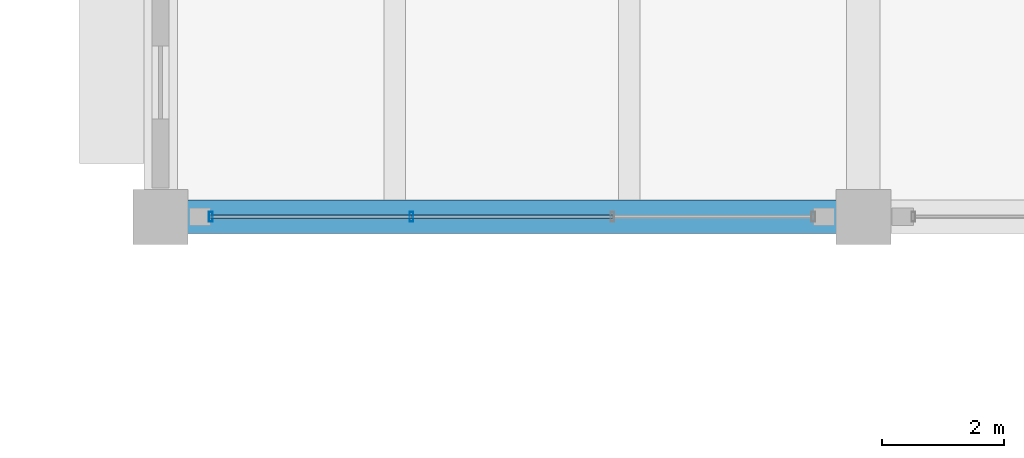
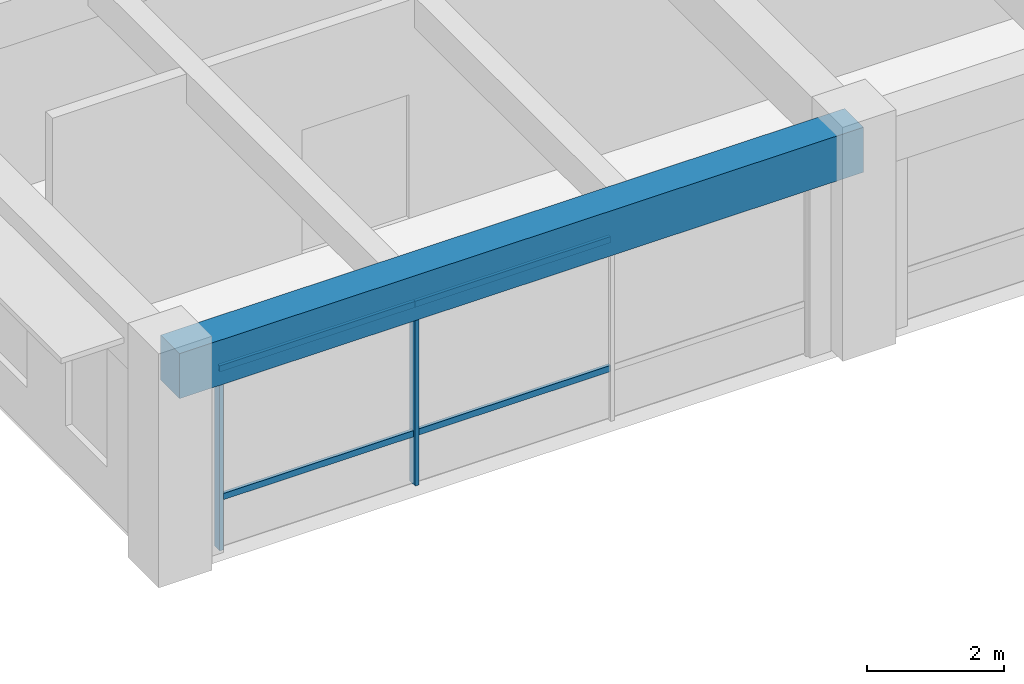
# One storey, part 2 of 33: 6 members, 1 beam, 1 element without a shape of its own.
"""IFC4 building model written with IfcOpenShell, lengths in metres."""

from ifc_helpers import new_model, si_unit, direction, frame, origin, origin_2d, place, context, subcontext, project, spatial, rectangle, hollow_rectangle, extrude, material, material_profile, profile_set, type_object, element, aggregate, save


model = new_model("IFC4")

# Units and contexts
model_context = context("Model", 3, precision=1e-05, world=origin(), true_north=direction((0.0, 1.0)))
body_context = subcontext(model_context, "Body", "Model", "MODEL_VIEW")
ifc_project = project(units=[si_unit("LENGTHUNIT", "METRE"), si_unit("AREAUNIT", "SQUARE_METRE"), si_unit("VOLUMEUNIT", "CUBIC_METRE"), si_unit("PLANEANGLEUNIT", "RADIAN"), si_unit("MASSUNIT", "GRAM", prefix="KILO")], contexts=[model_context])

# Site, building, storey
site_placement = place(None, origin())
site = spatial("IfcSite", under=ifc_project, at=site_placement, CompositionType="ELEMENT")
building_placement = place(site_placement, origin())
building = spatial("IfcBuilding", under=site, at=building_placement, Name="Ologun Quay Terminus", CompositionType="ELEMENT")
storey_placement = place(building_placement, frame((0.0, 0.0, 18.300048828125)))
storey = spatial("IfcBuildingStorey", under=building, at=storey_placement, Name="L04", CompositionType="ELEMENT", Elevation=18.300048828125)

# Curtain wall, members
ifc_material_1 = material(Name="Aluminium 6063-T6", Category="aluminium")
curtain_wall_type = type_object("IfcCurtainWallType", Name="Waterfront Pavilion Tea Salon Curtain Wall L04 10600x3800", PredefinedType="USERDEFINED", material=ifc_material_1)
curtain_wall_placement = place(storey_placement, origin())
curtain_wall = element("IfcCurtainWall", 1, at=curtain_wall_placement, inside=storey, type_object=curtain_wall_type, Name="CW-26 Curtain Wall CW-L04-115", ObjectType="UNITISED CURTAIN WALL", PredefinedType="USERDEFINED")
ifc_material_2 = material(Name="Aluminium 6063-T6", Category="aluminium")
ifc_material_profile_1 = material_profile(ifc_material_2, hollow_rectangle(XDim=0.06005859375, YDim=0.159912109375, WallThickness=0.00390625, at=origin_2d()), Name="ALU 160x60x4")
ifc_profile_set_1 = profile_set([ifc_material_profile_1], Name="Aluminium 6063-T6")
member_type_1 = type_object("IfcMemberType", Name="Courtyard Screen Mullion 160x65", PredefinedType="MULLION", material=ifc_profile_set_1)
member_1_placement = place(storey_placement, frame((23.820068359375, 85.800048828125, 0.0), z_axis=(0.0, 0.0, 1.0), x_axis=(1.0, 0.0, 0.0)))
member_1 = element("IfcMember", 2, at=member_1_placement, type_object=member_type_1, Name="CW-L04-115 Mullion 1", PredefinedType="MULLION", context=body_context, shape_type="SweptSolid", body=[
    extrude(hollow_rectangle(XDim=0.06005859375, YDim=0.159912109375, WallThickness=0.00390625, at=origin_2d()), origin(), (0.0, 0.0, 1.0), 3.889892578125),
])
member_2_placement = place(storey_placement, frame((27.106689453125, 85.800048828125, 0.0), z_axis=(0.0, 0.0, 1.0), x_axis=(1.0, 0.0, 0.0)))
member_2 = element("IfcMember", 3, at=member_2_placement, type_object=member_type_1, Name="CW-L04-115 Mullion 2", PredefinedType="MULLION", context=body_context, shape_type="SweptSolid", body=[
    extrude(hollow_rectangle(XDim=0.06005859375, YDim=0.159912109375, WallThickness=0.00390625, at=origin_2d()), origin(), (0.0, 0.0, 1.0), 3.889892578125),
])
ifc_material_3 = material(Name="Aluminium 6063-T6", Category="aluminium")
ifc_material_profile_2 = material_profile(ifc_material_3, hollow_rectangle(XDim=0.054931640625, YDim=0.110107421875, WallThickness=0.00390625, at=origin_2d()), Name="ALU 110x55x4")
ifc_profile_set_2 = profile_set([ifc_material_profile_2], Name="Aluminium 6063-T6")
member_type_2 = type_object("IfcMemberType", Name="Courtyard Screen Transom 110x55", PredefinedType="USERDEFINED", material=ifc_profile_set_2)
member_3_placement = place(storey_placement, frame((23.820068359375, 85.800048828125, 0.89990234375), z_axis=(1.0, 0.0, 0.0), x_axis=(0.0, 1.0, 0.0)))
member_3 = element("IfcMember", 4, at=member_3_placement, type_object=member_type_2, Name="CW-L04-115 Transom B1-1", ObjectType="TRANSOM", PredefinedType="USERDEFINED", context=body_context, shape_type="SweptSolid", body=[
    extrude(hollow_rectangle(XDim=0.054931640625, YDim=0.110107421875, WallThickness=0.00390625, at=origin_2d()), origin(), (0.0, 0.0, 1.0), 3.28662109375),
])
member_4_placement = place(storey_placement, frame((23.820068359375, 85.800048828125, 3.18994140625), z_axis=(1.0, 0.0, 0.0), x_axis=(0.0, 1.0, 0.0)))
member_4 = element("IfcMember", 5, at=member_4_placement, type_object=member_type_2, Name="CW-L04-115 Transom B1-2", ObjectType="TRANSOM", PredefinedType="USERDEFINED", context=body_context, shape_type="SweptSolid", body=[
    extrude(hollow_rectangle(XDim=0.054931640625, YDim=0.110107421875, WallThickness=0.00390625, at=origin_2d()), origin(), (0.0, 0.0, 1.0), 3.28662109375),
])
member_5_placement = place(storey_placement, frame((27.106689453125, 85.800048828125, 0.89990234375), z_axis=(1.0, 0.0, 0.0), x_axis=(0.0, 1.0, 0.0)))
member_5 = element("IfcMember", 6, at=member_5_placement, type_object=member_type_2, Name="CW-L04-115 Transom B2-1", ObjectType="TRANSOM", PredefinedType="USERDEFINED", context=body_context, shape_type="SweptSolid", body=[
    extrude(hollow_rectangle(XDim=0.054931640625, YDim=0.110107421875, WallThickness=0.00390625, at=origin_2d()), origin(), (0.0, 0.0, 1.0), 3.28662109375),
])
member_6_placement = place(storey_placement, frame((27.106689453125, 85.800048828125, 3.18994140625), z_axis=(1.0, 0.0, 0.0), x_axis=(0.0, 1.0, 0.0)))
member_6 = element("IfcMember", 7, at=member_6_placement, type_object=member_type_2, Name="CW-L04-115 Transom B2-2", ObjectType="TRANSOM", PredefinedType="USERDEFINED", context=body_context, shape_type="SweptSolid", body=[
    extrude(hollow_rectangle(XDim=0.054931640625, YDim=0.110107421875, WallThickness=0.00390625, at=origin_2d()), origin(), (0.0, 0.0, 1.0), 3.28662109375),
])
aggregate(curtain_wall, [member_1, member_2, member_3, member_4, member_5, member_6])

# Beam
ifc_material_4 = material(Name="Concrete C40/50", Category="concrete")
ifc_material_profile_3 = material_profile(ifc_material_4, rectangle(XDim=0.550048828125, YDim=0.800048828125, at=origin_2d()), Name="RC 550x800")
ifc_profile_set_3 = profile_set([ifc_material_profile_3], Name="Concrete C40/50")
beam_type = type_object("IfcBeamType", Name="Courtyard Wing Primary Girder 550x800", PredefinedType="BEAM", material=ifc_profile_set_3)
beam_placement = place(storey_placement, frame((23.0, 85.800048828125, 3.5), z_axis=(1.0, 0.0, 0.0), x_axis=(0.0, 1.0, 0.0)))
element("IfcBeam", 8, at=beam_placement, inside=storey, type_object=beam_type, Name="B4 Beam 3/G2 L04", PredefinedType="BEAM", context=body_context, shape_type="SweptSolid", body=[
    extrude(rectangle(XDim=0.550048828125, YDim=0.800048828125, at=origin_2d()), origin(), (0.0, 0.0, 1.0), 11.5),
])

save(model, "model.ifc")
